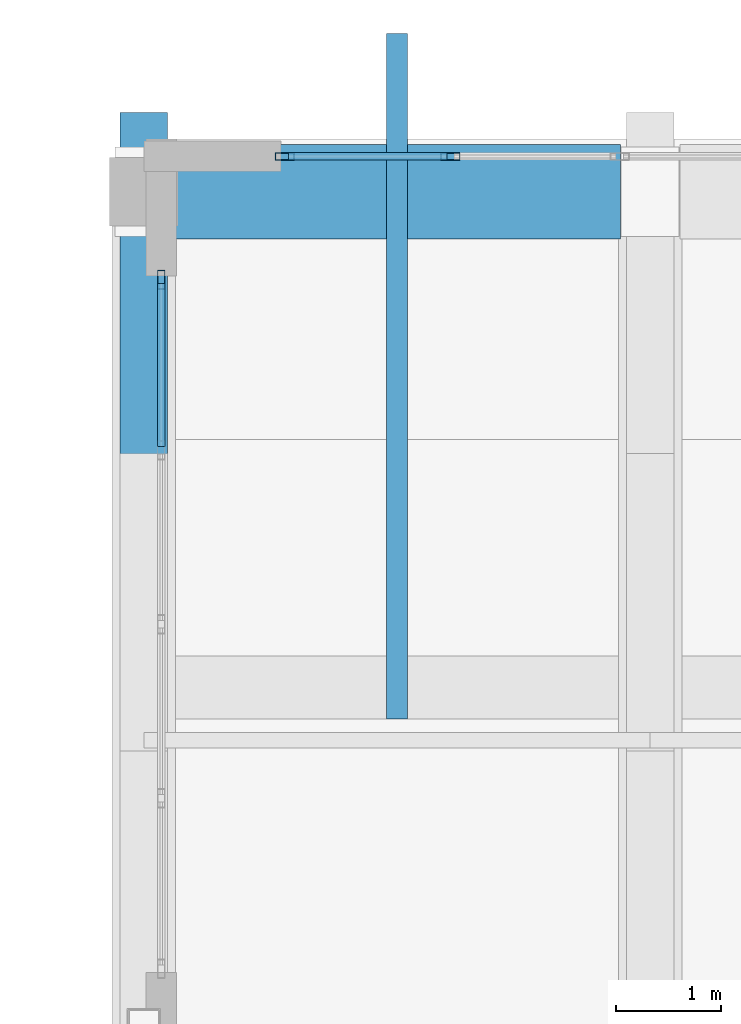
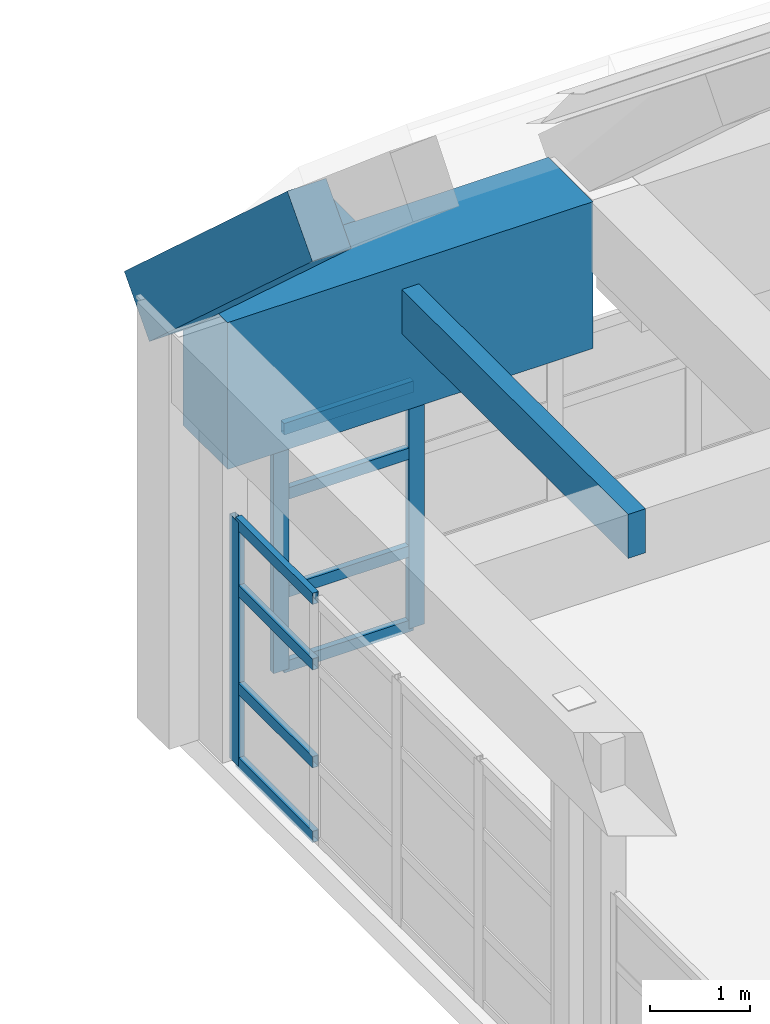
# One storey, part 36 of 78: 12 members, 2 beams, 2 elements without a shape of their own.
"""IFC4 building model written with IfcOpenShell, lengths in metres."""

from ifc_helpers import new_model, si_unit, direction, frame, origin, origin_2d, place, context, subcontext, project, spatial, rectangle, hollow_rectangle, extrude, material, layer, layer_set, material_profile, profile_set, type_object, element, aggregate, save


model = new_model("IFC4")

# Units and contexts
model_context = context("Model", 3, precision=1e-05, world=origin(), true_north=direction((0.0, 1.0)))
body_context = subcontext(model_context, "Body", "Model", "MODEL_VIEW")
ifc_project = project(units=[si_unit("LENGTHUNIT", "METRE"), si_unit("AREAUNIT", "SQUARE_METRE"), si_unit("VOLUMEUNIT", "CUBIC_METRE"), si_unit("PLANEANGLEUNIT", "RADIAN"), si_unit("MASSUNIT", "GRAM", prefix="KILO")], contexts=[model_context])

# Site, building, storey
site_placement = place(None, origin())
site = spatial("IfcSite", under=ifc_project, at=site_placement, CompositionType="ELEMENT")
building_placement = place(site_placement, origin())
building = spatial("IfcBuilding", under=site, at=building_placement, Name="Quendrovan Civic Courthouse", CompositionType="ELEMENT")
storey_placement = place(building_placement, frame((0.0, 0.0, 20.39990234375)))
storey = spatial("IfcBuildingStorey", under=building, at=storey_placement, Name="L05", CompositionType="ELEMENT", Elevation=20.39990234375)

# Beams
ifc_material_1 = material(Name="Concrete C45/55", Category="concrete")
ifc_material_profile_1 = material_profile(ifc_material_1, rectangle(XDim=0.89990234375, YDim=1.800048828125, at=origin_2d()), Name="RC-TG-900x1800")
ifc_profile_set_1 = profile_set([ifc_material_profile_1], Name="Concrete C45/55")
beam_type_1 = type_object("IfcBeamType", Name="BM-TG1800", PredefinedType="BEAM", material=ifc_profile_set_1)
beam_1_placement = place(storey_placement, frame((109.47998046875, 109.89990234375, 4.2001953125), z_axis=(1.0, 0.0, 0.0), x_axis=(0.0, 1.0, 0.0)))
element("IfcBeam", 1, at=beam_1_placement, inside=storey, type_object=beam_type_1, Name="BV1 Springing Collector Girder N-1", PredefinedType="BEAM", context=body_context, shape_type="SweptSolid", body=[
    extrude(rectangle(XDim=0.89990234375, YDim=1.800048828125, at=origin_2d()), origin(), (0.0, 0.0, 1.0), 4.239990234375),
])
ifc_material_2 = material(Name="Concrete C40/50", Category="concrete")
ifc_material_profile_2 = material_profile(ifc_material_2, rectangle(XDim=0.449951171875, YDim=0.75, at=origin_2d()), Name="RC-VRIB-450x750")
ifc_profile_set_2 = profile_set([ifc_material_profile_2], Name="Concrete C40/50")
beam_type_2 = type_object("IfcBeamType", Name="BM-VRIB750", PredefinedType="BEAM", material=ifc_profile_set_2)
beam_2_placement = place(storey_placement, frame((109.199951171875, 107.123291015625, 7.871826171875), z_axis=(0.0, 0.740733725172, -0.671798740988), x_axis=(-1.0, 0.0, 0.0)))
element("IfcBeam", 2, at=beam_2_placement, inside=storey, type_object=beam_type_2, Name="BV1 Concrete Vault Arch Rib A1-C8", PredefinedType="BEAM", context=body_context, shape_type="SweptSolid", body=[
    extrude(rectangle(XDim=0.449951171875, YDim=0.75, at=origin_2d()), origin(), (0.0, 0.0, 1.0), 4.423583984375),
])

# Curtain wall, members
ifc_material_3 = material(Name="Bronze anodised aluminium and low-E glass", Category="aluminium")
ifc_layer_1 = layer(ifc_material_3, 0.179931640625, Name="Bronze anodised aluminium and low-E glass")
ifc_layer_set_1 = layer_set([ifc_layer_1], Name="Bronze anodised aluminium and low-E glass")
curtain_wall_type_1 = type_object("IfcCurtainWallType", Name="CW-U64x30", PredefinedType="USERDEFINED", material=ifc_layer_set_1)
curtain_wall_1_placement = place(storey_placement, origin())
curtain_wall_1 = element("IfcCurtainWall", 3, at=curtain_wall_1_placement, inside=storey, type_object=curtain_wall_type_1, Name="L05 Unitised Hurricane Curtain Wall CW-192", ObjectType="UNITISED CURTAIN WALL", PredefinedType="USERDEFINED")
ifc_material_4 = material(Name="Bronze anodised aluminium", Category="aluminium")
ifc_material_profile_3 = material_profile(ifc_material_4, hollow_rectangle(XDim=0.070068359375, YDim=0.179931640625, WallThickness=0.00390625, at=origin_2d()), Name="CW-MULL-70x180")
ifc_profile_set_3 = profile_set([ifc_material_profile_3], Name="Bronze anodised aluminium")
member_type_1 = type_object("IfcMemberType", Name="CW-MULL-A", PredefinedType="MULLION", material=ifc_profile_set_3)
member_1_placement = place(storey_placement, frame((110.534912109375, 110.235107421875, 0.0), z_axis=(0.0, 0.0, 1.0), x_axis=(0.0, 1.0, 0.0)))
member_1 = element("IfcMember", 4, at=member_1_placement, type_object=member_type_1, Name="CW-192 mullion 1", PredefinedType="MULLION", context=body_context, shape_type="SweptSolid", body=[
    extrude(hollow_rectangle(XDim=0.070068359375, YDim=0.179931640625, WallThickness=0.00390625, at=origin_2d()), origin(), (0.0, 0.0, 1.0), 2.989990234375),
])
member_2_placement = place(storey_placement, frame((112.106201171875, 110.235107421875, 0.0), z_axis=(0.0, 0.0, 1.0), x_axis=(0.0, 1.0, 0.0)))
member_2 = element("IfcMember", 5, at=member_2_placement, type_object=member_type_1, Name="CW-192 mullion 2", PredefinedType="MULLION", context=body_context, shape_type="SweptSolid", body=[
    extrude(hollow_rectangle(XDim=0.070068359375, YDim=0.179931640625, WallThickness=0.00390625, at=origin_2d()), origin(), (0.0, 0.0, 1.0), 2.989990234375),
])

# Curtain wall, member
ifc_layer_2 = layer(ifc_material_3, 0.179931640625, Name="Bronze anodised aluminium and low-E glass")
ifc_layer_set_2 = layer_set([ifc_layer_2], Name="Bronze anodised aluminium and low-E glass")
curtain_wall_type_2 = type_object("IfcCurtainWallType", Name="CW-U66x30", PredefinedType="USERDEFINED", material=ifc_layer_set_2)
curtain_wall_2_placement = place(storey_placement, origin())
curtain_wall_2 = element("IfcCurtainWall", 6, at=curtain_wall_2_placement, inside=storey, type_object=curtain_wall_type_2, Name="L05 Unitised Hurricane Curtain Wall CW-204", ObjectType="UNITISED CURTAIN WALL", PredefinedType="USERDEFINED")
member_3_placement = place(storey_placement, frame((109.364990234375, 109.06494140625, 0.0), z_axis=(0.0, 0.0, 1.0), x_axis=(-1.0, 0.0, 0.0)))
member_3 = element("IfcMember", 7, at=member_3_placement, type_object=member_type_1, Name="CW-204 mullion 5", PredefinedType="MULLION", context=body_context, shape_type="SweptSolid", body=[
    extrude(hollow_rectangle(XDim=0.070068359375, YDim=0.179931640625, WallThickness=0.00390625, at=origin_2d()), origin(), (0.0, 0.0, 1.0), 2.989990234375),
])

# Member
ifc_material_profile_4 = material_profile(ifc_material_4, hollow_rectangle(XDim=0.070068359375, YDim=0.139892578125, WallThickness=0.00390625, at=origin_2d()), Name="CW-TRAN-70x140")
ifc_profile_set_4 = profile_set([ifc_material_profile_4], Name="Bronze anodised aluminium")
member_type_2 = type_object("IfcMemberType", Name="CW-TRAN-A", PredefinedType="USERDEFINED", material=ifc_profile_set_4)
member_4_placement = place(storey_placement, frame((110.570068359375, 110.235107421875, 0.03515625), z_axis=(1.0, 0.0, 0.0), x_axis=(0.0, 1.0, 0.0)))
member_4 = element("IfcMember", 8, at=member_4_placement, type_object=member_type_2, Name="CW-192 transom 1.1", ObjectType="TRANSOM", PredefinedType="USERDEFINED", context=body_context, shape_type="SweptSolid", body=[
    extrude(hollow_rectangle(XDim=0.070068359375, YDim=0.139892578125, WallThickness=0.00390625, at=origin_2d()), origin(), (0.0, 0.0, 1.0), 1.501220703125),
])

member_5_placement = place(storey_placement, frame((110.570068359375, 110.235107421875, 0.9501953125), z_axis=(1.0, 0.0, 0.0), x_axis=(0.0, 1.0, 0.0)))
member_5 = element("IfcMember", 9, at=member_5_placement, type_object=member_type_2, Name="CW-192 transom 1.2", ObjectType="TRANSOM", PredefinedType="USERDEFINED", context=body_context, shape_type="SweptSolid", body=[
    extrude(hollow_rectangle(XDim=0.070068359375, YDim=0.139892578125, WallThickness=0.00390625, at=origin_2d()), origin(), (0.0, 0.0, 1.0), 1.501220703125),
])

member_6_placement = place(storey_placement, frame((110.570068359375, 110.235107421875, 2.150146484375), z_axis=(1.0, 0.0, 0.0), x_axis=(0.0, 1.0, 0.0)))
member_6 = element("IfcMember", 10, at=member_6_placement, type_object=member_type_2, Name="CW-192 transom 1.3", ObjectType="TRANSOM", PredefinedType="USERDEFINED", context=body_context, shape_type="SweptSolid", body=[
    extrude(hollow_rectangle(XDim=0.070068359375, YDim=0.139892578125, WallThickness=0.00390625, at=origin_2d()), origin(), (0.0, 0.0, 1.0), 1.501220703125),
])

member_7_placement = place(storey_placement, frame((110.570068359375, 110.235107421875, 2.955078125), z_axis=(1.0, 0.0, 0.0), x_axis=(0.0, 1.0, 0.0)))
member_7 = element("IfcMember", 11, at=member_7_placement, type_object=member_type_2, Name="CW-192 transom 1.4", ObjectType="TRANSOM", PredefinedType="USERDEFINED", context=body_context, shape_type="SweptSolid", body=[
    extrude(hollow_rectangle(XDim=0.070068359375, YDim=0.139892578125, WallThickness=0.00390625, at=origin_2d()), origin(), (0.0, 0.0, 1.0), 1.501220703125),
])

aggregate(curtain_wall_1, [member_1, member_2, member_4, member_5, member_6, member_7])

member_8_placement = place(storey_placement, frame((109.364990234375, 107.485107421875, 0.03515625), z_axis=(0.0, 1.0, 0.0), x_axis=(-1.0, 0.0, 0.0)))
member_8 = element("IfcMember", 12, at=member_8_placement, type_object=member_type_2, Name="CW-204 transom 4.1", ObjectType="TRANSOM", PredefinedType="USERDEFINED", context=body_context, shape_type="SweptSolid", body=[
    extrude(hollow_rectangle(XDim=0.070068359375, YDim=0.139892578125, WallThickness=0.00390625, at=origin_2d()), origin(), (0.0, 0.0, 1.0), 1.544921875),
])

member_9_placement = place(storey_placement, frame((109.364990234375, 107.485107421875, 0.9501953125), z_axis=(0.0, 1.0, 0.0), x_axis=(-1.0, 0.0, 0.0)))
member_9 = element("IfcMember", 13, at=member_9_placement, type_object=member_type_2, Name="CW-204 transom 4.2", ObjectType="TRANSOM", PredefinedType="USERDEFINED", context=body_context, shape_type="SweptSolid", body=[
    extrude(hollow_rectangle(XDim=0.070068359375, YDim=0.139892578125, WallThickness=0.00390625, at=origin_2d()), origin(), (0.0, 0.0, 1.0), 1.544921875),
])

member_10_placement = place(storey_placement, frame((109.364990234375, 107.485107421875, 2.150146484375), z_axis=(0.0, 1.0, 0.0), x_axis=(-1.0, 0.0, 0.0)))
member_10 = element("IfcMember", 14, at=member_10_placement, type_object=member_type_2, Name="CW-204 transom 4.3", ObjectType="TRANSOM", PredefinedType="USERDEFINED", context=body_context, shape_type="SweptSolid", body=[
    extrude(hollow_rectangle(XDim=0.070068359375, YDim=0.139892578125, WallThickness=0.00390625, at=origin_2d()), origin(), (0.0, 0.0, 1.0), 1.544921875),
])

member_11_placement = place(storey_placement, frame((109.364990234375, 107.485107421875, 2.955078125), z_axis=(0.0, 1.0, 0.0), x_axis=(-1.0, 0.0, 0.0)))
member_11 = element("IfcMember", 15, at=member_11_placement, type_object=member_type_2, Name="CW-204 transom 4.4", ObjectType="TRANSOM", PredefinedType="USERDEFINED", context=body_context, shape_type="SweptSolid", body=[
    extrude(hollow_rectangle(XDim=0.070068359375, YDim=0.139892578125, WallThickness=0.00390625, at=origin_2d()), origin(), (0.0, 0.0, 1.0), 1.544921875),
])

aggregate(curtain_wall_2, [member_3, member_8, member_9, member_10, member_11])

ifc_material_5 = material(Name="Western Red Cedar Glulam GL28h", Category="wood")
ifc_material_profile_5 = material_profile(ifc_material_5, rectangle(XDim=0.199951171875, YDim=0.5400390625, at=origin_2d()), Name="GL28H-200x540")
ifc_profile_set_5 = profile_set([ifc_material_profile_5], Name="Western Red Cedar Glulam GL28h")
member_type_3 = type_object("IfcMemberType", Name="MEM-PUR-GL540", PredefinedType="PURLIN", material=ifc_profile_set_5)
member_12_placement = place(storey_placement, frame((111.60009765625, 104.89990234375, 4.530029296875), z_axis=(0.0, 1.0, 0.0), x_axis=(-1.0, 0.0, 0.0)))
element("IfcMember", 16, at=member_12_placement, inside=storey, type_object=member_type_3, Name="BV1 Cedar Glulam North Hurricane Eave Outrigger B1", PredefinedType="PURLIN", context=body_context, shape_type="SweptSolid", body=[
    extrude(rectangle(XDim=0.199951171875, YDim=0.5400390625, at=origin_2d()), origin(), (0.0, 0.0, 1.0), 6.5),
])

save(model, "model.ifc")
